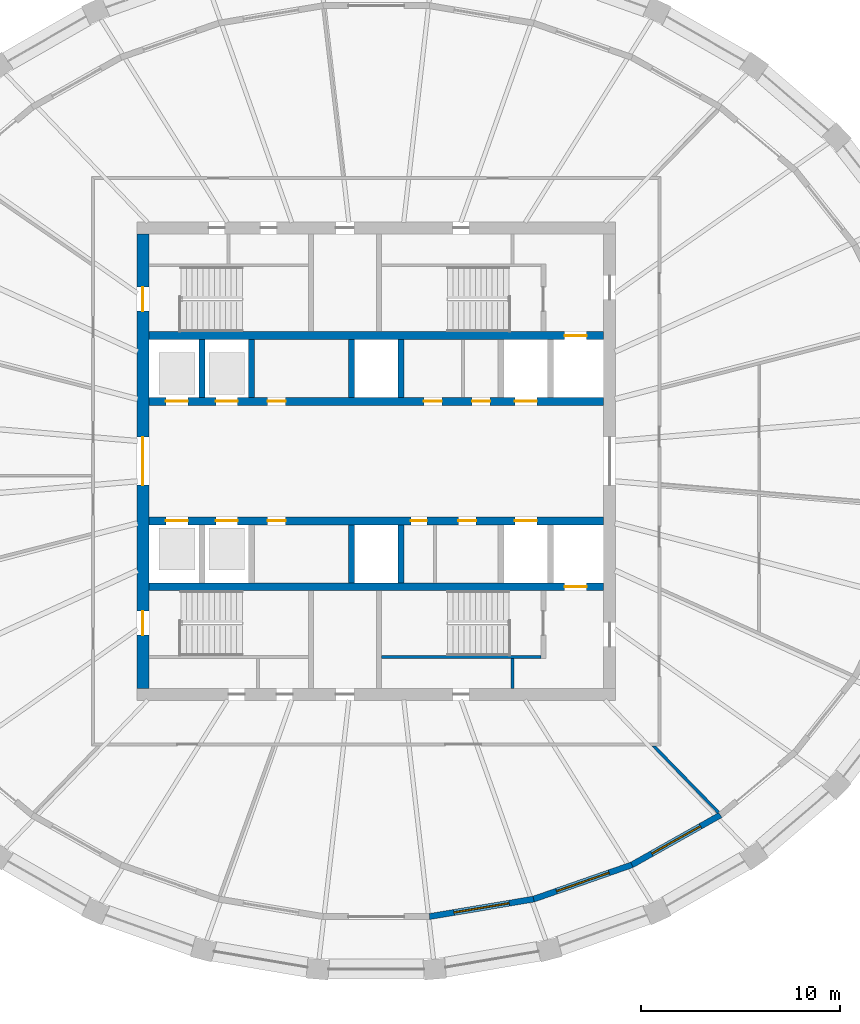
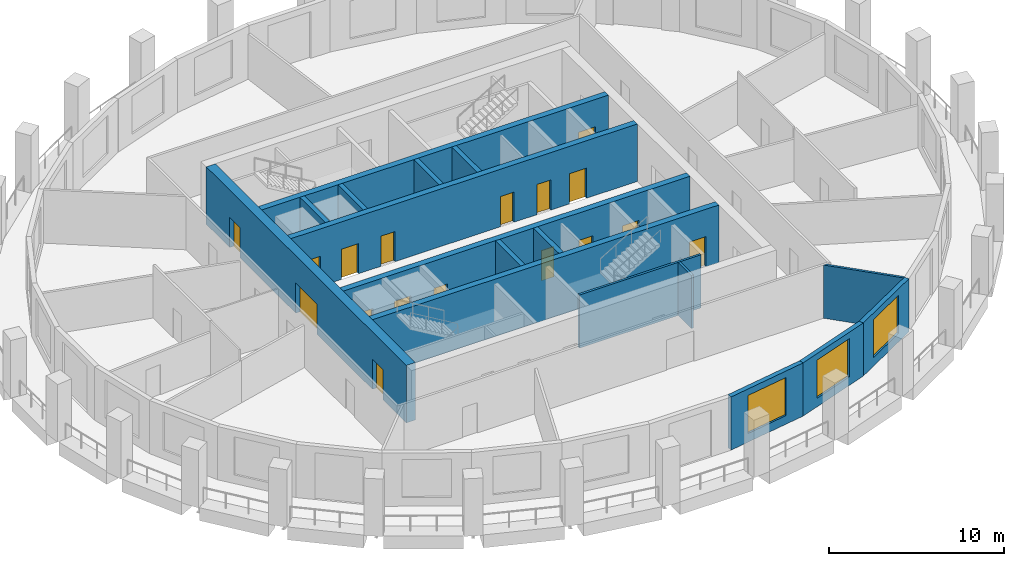
# One storey, part 4 of 10: 17 doors, 17 walls, 3 windows, 20 openings.
"""IFC4 building model written with IfcOpenShell, lengths in metres."""

from ifc_helpers import new_model, si_unit, direction, frame, frame_2d, origin, place, context, subcontext, project, spatial, polyline, rectangle, outline, extrude, material, layer, layer_set, type_object, element, fill, save


model = new_model("IFC4")

# Units and contexts
model_context = context("Model", 3, precision=1e-05, world=origin(), true_north=direction((0.0, 1.0)))
body_context = subcontext(model_context, "Body", "Model", "MODEL_VIEW")
ifc_project = project(units=[si_unit("LENGTHUNIT", "METRE"), si_unit("AREAUNIT", "SQUARE_METRE"), si_unit("VOLUMEUNIT", "CUBIC_METRE"), si_unit("PLANEANGLEUNIT", "RADIAN"), si_unit("MASSUNIT", "GRAM", prefix="KILO")], contexts=[model_context])

# Site, building, storey
site_placement = place(None, origin())
site = spatial("IfcSite", under=ifc_project, at=site_placement, CompositionType="ELEMENT")
building_placement = place(site_placement, origin())
building = spatial("IfcBuilding", under=site, at=building_placement, Name="Halqa Exchange Tower", CompositionType="ELEMENT")
storey_placement = place(building_placement, frame((0.0, 0.0, 272.300048828125)))
storey = spatial("IfcBuildingStorey", under=building, at=storey_placement, Name="L63", CompositionType="ELEMENT", Elevation=272.300048828125)

# Walls
ifc_material_1 = material(Name="Fire-rated gypsum board")
ifc_layer_1 = layer(ifc_material_1, 0.14990234375)
ifc_layer_set_1 = layer_set([ifc_layer_1], Name="Fire-rated gypsum board")
wall_type_1 = type_object("IfcWallType", Name="Fire partition EI 60 150", PredefinedType="PARTITIONING", material=ifc_layer_set_1)
wall_1_placement = place(storey_placement, frame((13.852294921875, -14.222900390625, 0.0), z_axis=(0.0, 0.0, 1.0), x_axis=(0.69820654799, -0.715896372629, 0.0)))
element("IfcWall", 1, at=wall_1_placement, inside=storey, type_object=wall_type_1, Name="L63-PWL-015", PredefinedType="PARTITIONING", context=body_context, shape_type="SweptSolid", body=[
    extrude(outline(polyline([(0.0, -0.074951171875), (1.577880859375, -0.074951171875), (3.156005859375, -0.074951171875), (4.73388671875, -0.074951171875), (4.73388671875, -0.07470703125), (4.73388671875, 0.074951171875), (3.20458984375, 0.074951171875), (1.67529296875, 0.074951171875), (0.14599609375, 0.074951171875), (0.0, -0.07470703125), (0.0, -0.074951171875)])), origin(), (0.0, 0.0, 1.0), 3.699951171875),
])
ifc_material_2 = material(Name="Gypsum board")
ifc_layer_2 = layer(ifc_material_2, 0.14990234375)
ifc_layer_set_2 = layer_set([ifc_layer_2], Name="Gypsum board")
wall_type_2 = type_object("IfcWallType", Name="Penthouse riser wall 150 gypsum", PredefinedType="PARTITIONING", material=ifc_layer_set_2)
wall_2_placement = place(storey_placement, frame((6.824951171875, -11.39990234375, 0.0), z_axis=(0.0, 0.0, 1.0), x_axis=(0.0, 1.0, 0.0)))
element("IfcWall", 2, at=wall_2_placement, inside=storey, type_object=wall_type_2, Name="Firefighting lobby west wall S", PredefinedType="PARTITIONING", context=body_context, shape_type="SweptSolid", body=[
    extrude(rectangle(XDim=1.5, YDim=0.14990234375, at=frame_2d((0.75, 0.0))), origin(), (0.0, 0.0, 1.0), 3.699951171875),
])
ifc_material_3 = material(Name="Concrete C60/75", Category="concrete")
ifc_layer_3 = layer(ifc_material_3, 0.300048828125)
ifc_layer_set_3 = layer_set([ifc_layer_3], Name="Concrete C60/75")
wall_type_3 = type_object("IfcWallType", Name="RC core wall 300", PredefinedType="SHEAR", material=ifc_layer_set_3)
for number, where, z_axis, x_axis, name in (
    (3, (-8.75, 3.199951171875, 0.0), (0.0, 0.0, 1.0), (0.0, 1.0, 0.0), "Shaft divider N1"),
    (4, (-6.25, 3.199951171875, 0.0), (0.0, 0.0, 1.0), (0.0, 1.0, 0.0), "Shaft divider N2"),
    (5, (-1.25, 3.199951171875, 0.0), (0.0, 0.0, 1.0), (0.0, 1.0, 0.0), "Shaft divider N4"),
    (6, (1.25, 3.199951171875, 0.0), (0.0, 0.0, 1.0), (0.0, 1.0, 0.0), "Shaft divider N5"),
    (7, (-1.25, -6.10009765625, 0.0), (0.0, 0.0, 1.0), (0.0, 1.0, 0.0), "Shaft divider S4"),
    (8, (1.25, -6.10009765625, 0.0), (0.0, 0.0, 1.0), (0.0, 1.0, 0.0), "Shaft divider S5"),
):
    element("IfcWall", number, at=place(storey_placement, frame(where, z_axis=z_axis, x_axis=x_axis)), inside=storey, type_object=wall_type_3, Name=name, PredefinedType="SHEAR", context=body_context, shape_type="SweptSolid", body=[
        extrude(rectangle(XDim=2.900146484375, YDim=0.300048828125, at=frame_2d((1.4501953125, 0.0))), origin(), (0.0, 0.0, 1.0), 4.0),
    ])

# Wall, openings, doors
ifc_layer_4 = layer(ifc_material_3, 0.39990234375)
ifc_layer_set_4 = layer_set([ifc_layer_4], Name="Concrete C60/75")
wall_type_4 = type_object("IfcWallType", Name="RC core wall 400 C60/75", PredefinedType="SHEAR", material=ifc_layer_set_4)
wall_3_placement = place(storey_placement, frame((-11.39990234375, 3.0, 0.0), z_axis=(0.0, 0.0, 1.0), x_axis=(1.0, 0.0, 0.0)))
wall_3 = element("IfcWall", 9, at=wall_3_placement, inside=storey, type_object=wall_type_4, Name="Lift row front wall N", PredefinedType="SHEAR", context=body_context, shape_type="SweptSolid", body=[
    extrude(rectangle(XDim=22.7998046875, YDim=0.39990234375, at=frame_2d((11.39990234375, 0.0))), origin(), (0.0, 0.0, 1.0), 4.0),
])
opening_1_placement = place(wall_3_placement, frame((0.85009765625, 0.0, 0.0)))
opening_1 = element("IfcOpeningElement", 10, at=opening_1_placement, cuts=wall_3, Name="Opening LD-HR1-T19", PredefinedType="OPENING", context=body_context, shape_type="SweptSolid", body=[
    extrude(rectangle(XDim=1.10009765625, YDim=2.10009765625, at=frame_2d((0.550048828125, 1.050048828125))), frame((0.0, 0.2119140625, 0.0), z_axis=(0.0, -1.0, 0.0), x_axis=(1.0, 0.0, 0.0)), (0.0, 0.0, 1.0), 0.423828125),
])
opening_2_placement = place(wall_3_placement, frame((3.35009765625, 0.0, 0.0)))
opening_2 = element("IfcOpeningElement", 11, at=opening_2_placement, cuts=wall_3, Name="Opening LD-HR2-T19", PredefinedType="OPENING", context=body_context, shape_type="SweptSolid", body=[
    extrude(rectangle(XDim=1.10009765625, YDim=2.10009765625, at=frame_2d((0.550048828125, 1.050048828125))), frame((0.0, 0.2119140625, 0.0), z_axis=(0.0, -1.0, 0.0), x_axis=(1.0, 0.0, 0.0)), (0.0, 0.0, 1.0), 0.423828125),
])
opening_3_placement = place(wall_3_placement, frame((18.35009765625, 0.0, 0.0)))
opening_3 = element("IfcOpeningElement", 12, at=opening_3_placement, cuts=wall_3, Name="Opening LD-SV1-T19", PredefinedType="OPENING", context=body_context, shape_type="SweptSolid", body=[
    extrude(rectangle(XDim=1.10009765625, YDim=2.10009765625, at=frame_2d((0.550048828125, 1.050048828125))), frame((0.0, 0.2119140625, 0.0), z_axis=(0.0, -1.0, 0.0), x_axis=(1.0, 0.0, 0.0)), (0.0, 0.0, 1.0), 0.423828125),
])
opening_4_placement = place(wall_3_placement, frame((13.78759765625, 0.0, 0.0)))
opening_4 = element("IfcOpeningElement", 13, at=opening_4_placement, cuts=wall_3, Name="Opening T19-C25", PredefinedType="OPENING", context=body_context, shape_type="SweptSolid", body=[
    extrude(rectangle(XDim=0.89990234375, YDim=2.10009765625, at=frame_2d((0.449951171875, 1.050048828125))), frame((0.0, 0.2119140625, 0.0), z_axis=(0.0, -1.0, 0.0), x_axis=(1.0, 0.0, 0.0)), (0.0, 0.0, 1.0), 0.423828125),
])
opening_5_placement = place(wall_3_placement, frame((16.21240234375, 0.0, 0.0)))
opening_5 = element("IfcOpeningElement", 14, at=opening_5_placement, cuts=wall_3, Name="Opening T19-C26", PredefinedType="OPENING", context=body_context, shape_type="SweptSolid", body=[
    extrude(rectangle(XDim=0.89990234375, YDim=2.10009765625, at=frame_2d((0.449951171875, 1.050048828125))), frame((0.0, 0.2119140625, 0.0), z_axis=(0.0, -1.0, 0.0), x_axis=(1.0, 0.0, 0.0)), (0.0, 0.0, 1.0), 0.423828125),
])
opening_6_placement = place(wall_3_placement, frame((5.949951171875, 0.0, 0.0)))
opening_6 = element("IfcOpeningElement", 15, at=opening_6_placement, cuts=wall_3, Name="Opening T19-C27", PredefinedType="OPENING", context=body_context, shape_type="SweptSolid", body=[
    extrude(rectangle(XDim=0.89990234375, YDim=2.10009765625, at=frame_2d((0.449951171875, 1.050048828125))), frame((0.0, 0.2119140625, 0.0), z_axis=(0.0, -1.0, 0.0), x_axis=(1.0, 0.0, 0.0)), (0.0, 0.0, 1.0), 0.423828125),
])
ifc_material_4 = material(Name="Timber fire door leaf", Category="wood")
door_type_1 = type_object("IfcDoorType", Name="Core room door FD30 900 x 2100", OperationType="SINGLE_SWING_LEFT", PredefinedType="DOOR", material=ifc_material_4)
door_1_placement = place(opening_4_placement, origin())
door_1 = element("IfcDoor", 16, at=door_1_placement, inside=storey, type_object=door_type_1, Name="Core room door", OperationType="SINGLE_SWING_LEFT", OverallHeight=2.10009765625, OverallWidth=0.89990234375, PredefinedType="DOOR", context=body_context, shape_type="SweptSolid", body=[
    extrude(rectangle(XDim=0.89990234375, YDim=2.10009765625, at=frame_2d((0.449951171875, 1.050048828125))), frame((0.0, 0.02490234375, 0.0), z_axis=(0.0, -1.0, 0.0), x_axis=(1.0, 0.0, 0.0)), (0.0, 0.0, 1.0), 0.050048828125),
])
fill(opening_4, door_1)
door_2_placement = place(opening_5_placement, origin())
door_2 = element("IfcDoor", 17, at=door_2_placement, inside=storey, type_object=door_type_1, Name="Core room door", OperationType="SINGLE_SWING_LEFT", OverallHeight=2.10009765625, OverallWidth=0.89990234375, PredefinedType="DOOR", context=body_context, shape_type="SweptSolid", body=[
    extrude(rectangle(XDim=0.89990234375, YDim=2.10009765625, at=frame_2d((0.449951171875, 1.050048828125))), frame((0.0, 0.02490234375, 0.0), z_axis=(0.0, -1.0, 0.0), x_axis=(1.0, 0.0, 0.0)), (0.0, 0.0, 1.0), 0.050048828125),
])
fill(opening_5, door_2)
door_3_placement = place(opening_6_placement, origin())
door_3 = element("IfcDoor", 18, at=door_3_placement, inside=storey, type_object=door_type_1, Name="Core room door", OperationType="SINGLE_SWING_RIGHT", OverallHeight=2.10009765625, OverallWidth=0.89990234375, PredefinedType="DOOR", context=body_context, shape_type="SweptSolid", body=[
    extrude(rectangle(XDim=0.89990234375, YDim=2.10009765625, at=frame_2d((0.449951171875, 1.050048828125))), frame((0.0, 0.02490234375, 0.0), z_axis=(0.0, -1.0, 0.0), x_axis=(1.0, 0.0, 0.0)), (0.0, 0.0, 1.0), 0.050048828125),
])
fill(opening_6, door_3)
ifc_material_5 = material(Name="Stainless steel", Category="steel")
door_type_2 = type_object("IfcDoorType", Name="Lift landing door 1100 x 2100", OperationType="SLIDING_TO_LEFT", PredefinedType="DOOR", material=ifc_material_5)
door_4_placement = place(opening_1_placement, origin())
door_4 = element("IfcDoor", 19, at=door_4_placement, inside=storey, type_object=door_type_2, Name="Lift landing door HR1", OperationType="SLIDING_TO_LEFT", OverallHeight=2.10009765625, OverallWidth=1.10009765625, PredefinedType="DOOR", context=body_context, shape_type="SweptSolid", body=[
    extrude(rectangle(XDim=1.10009765625, YDim=2.10009765625, at=frame_2d((0.550048828125, 1.050048828125))), frame((0.0, 0.02490234375, 0.0), z_axis=(0.0, -1.0, 0.0), x_axis=(1.0, 0.0, 0.0)), (0.0, 0.0, 1.0), 0.050048828125),
])
fill(opening_1, door_4)
door_5_placement = place(opening_2_placement, origin())
door_5 = element("IfcDoor", 20, at=door_5_placement, inside=storey, type_object=door_type_2, Name="Lift landing door HR2", OperationType="SLIDING_TO_LEFT", OverallHeight=2.10009765625, OverallWidth=1.10009765625, PredefinedType="DOOR", context=body_context, shape_type="SweptSolid", body=[
    extrude(rectangle(XDim=1.10009765625, YDim=2.10009765625, at=frame_2d((0.550048828125, 1.050048828125))), frame((0.0, 0.02490234375, 0.0), z_axis=(0.0, -1.0, 0.0), x_axis=(1.0, 0.0, 0.0)), (0.0, 0.0, 1.0), 0.050048828125),
])
fill(opening_2, door_5)
door_6_placement = place(opening_3_placement, origin())
door_6 = element("IfcDoor", 21, at=door_6_placement, inside=storey, type_object=door_type_2, Name="Lift landing door SV1", OperationType="SLIDING_TO_LEFT", OverallHeight=2.10009765625, OverallWidth=1.10009765625, PredefinedType="DOOR", context=body_context, shape_type="SweptSolid", body=[
    extrude(rectangle(XDim=1.10009765625, YDim=2.10009765625, at=frame_2d((0.550048828125, 1.050048828125))), frame((0.0, 0.02490234375, 0.0), z_axis=(0.0, -1.0, 0.0), x_axis=(1.0, 0.0, 0.0)), (0.0, 0.0, 1.0), 0.050048828125),
])
fill(opening_3, door_6)

# Wall, opening, door
wall_4_placement = place(storey_placement, frame((-11.39990234375, 6.300048828125, 0.0), z_axis=(0.0, 0.0, 1.0), x_axis=(1.0, 0.0, 0.0)))
wall_4 = element("IfcWall", 22, at=wall_4_placement, inside=storey, type_object=wall_type_4, Name="Lift row back wall N", PredefinedType="SHEAR", context=body_context, shape_type="SweptSolid", body=[
    extrude(rectangle(XDim=22.7998046875, YDim=0.39990234375, at=frame_2d((11.39990234375, 0.0))), origin(), (0.0, 0.0, 1.0), 4.0),
])
opening_7_placement = place(wall_4_placement, frame((20.85009765625, 0.0, 0.0)))
opening_7 = element("IfcOpeningElement", 23, at=opening_7_placement, cuts=wall_4, Name="Opening LD-FF1-T19", PredefinedType="OPENING", context=body_context, shape_type="SweptSolid", body=[
    extrude(rectangle(XDim=1.10009765625, YDim=2.10009765625, at=frame_2d((0.550048828125, 1.050048828125))), frame((0.0, 0.2119140625, 0.0), z_axis=(0.0, -1.0, 0.0), x_axis=(1.0, 0.0, 0.0)), (0.0, 0.0, 1.0), 0.423828125),
])
door_7_placement = place(opening_7_placement, origin())
door_7 = element("IfcDoor", 24, at=door_7_placement, inside=storey, type_object=door_type_2, Name="Lift landing door FF1", OperationType="SLIDING_TO_LEFT", OverallHeight=2.10009765625, OverallWidth=1.10009765625, PredefinedType="DOOR", context=body_context, shape_type="SweptSolid", body=[
    extrude(rectangle(XDim=1.10009765625, YDim=2.10009765625, at=frame_2d((0.550048828125, 1.050048828125))), frame((0.0, 0.02490234375, 0.0), z_axis=(0.0, -1.0, 0.0), x_axis=(1.0, 0.0, 0.0)), (0.0, 0.0, 1.0), 0.050048828125),
])
fill(opening_7, door_7)

# Wall, openings, doors
wall_5_placement = place(storey_placement, frame((-11.39990234375, -3.0, 0.0), z_axis=(0.0, 0.0, 1.0), x_axis=(1.0, 0.0, 0.0)))
wall_5 = element("IfcWall", 25, at=wall_5_placement, inside=storey, type_object=wall_type_4, Name="Lift row front wall S", PredefinedType="SHEAR", context=body_context, shape_type="SweptSolid", body=[
    extrude(rectangle(XDim=22.7998046875, YDim=0.39990234375, at=frame_2d((11.39990234375, 0.0))), origin(), (0.0, 0.0, 1.0), 4.0),
])
opening_8_placement = place(wall_5_placement, frame((0.85009765625, 0.0, 0.0)))
opening_8 = element("IfcOpeningElement", 26, at=opening_8_placement, cuts=wall_5, Name="Opening LD-HR3-T19", PredefinedType="OPENING", context=body_context, shape_type="SweptSolid", body=[
    extrude(rectangle(XDim=1.10009765625, YDim=2.10009765625, at=frame_2d((0.550048828125, 1.050048828125))), frame((0.0, 0.2119140625, 0.0), z_axis=(0.0, -1.0, 0.0), x_axis=(1.0, 0.0, 0.0)), (0.0, 0.0, 1.0), 0.423828125),
])
opening_9_placement = place(wall_5_placement, frame((3.35009765625, 0.0, 0.0)))
opening_9 = element("IfcOpeningElement", 27, at=opening_9_placement, cuts=wall_5, Name="Opening LD-HR4-T19", PredefinedType="OPENING", context=body_context, shape_type="SweptSolid", body=[
    extrude(rectangle(XDim=1.10009765625, YDim=2.10009765625, at=frame_2d((0.550048828125, 1.050048828125))), frame((0.0, 0.2119140625, 0.0), z_axis=(0.0, -1.0, 0.0), x_axis=(1.0, 0.0, 0.0)), (0.0, 0.0, 1.0), 0.423828125),
])
opening_10_placement = place(wall_5_placement, frame((18.35009765625, 0.0, 0.0)))
opening_10 = element("IfcOpeningElement", 28, at=opening_10_placement, cuts=wall_5, Name="Opening LD-SV2-T19", PredefinedType="OPENING", context=body_context, shape_type="SweptSolid", body=[
    extrude(rectangle(XDim=1.10009765625, YDim=2.10009765625, at=frame_2d((0.550048828125, 1.050048828125))), frame((0.0, 0.2119140625, 0.0), z_axis=(0.0, -1.0, 0.0), x_axis=(1.0, 0.0, 0.0)), (0.0, 0.0, 1.0), 0.423828125),
])
opening_11_placement = place(wall_5_placement, frame((13.137451171875, 0.0, 0.0)))
opening_11 = element("IfcOpeningElement", 29, at=opening_11_placement, cuts=wall_5, Name="Opening T19-C28", PredefinedType="OPENING", context=body_context, shape_type="SweptSolid", body=[
    extrude(rectangle(XDim=0.800048828125, YDim=2.10009765625, at=frame_2d((0.39990234375, 1.050048828125))), frame((0.0, 0.2119140625, 0.0), z_axis=(0.0, -1.0, 0.0), x_axis=(1.0, 0.0, 0.0)), (0.0, 0.0, 1.0), 0.423828125),
])
opening_12_placement = place(wall_5_placement, frame((15.512451171875, 0.0, 0.0)))
opening_12 = element("IfcOpeningElement", 30, at=opening_12_placement, cuts=wall_5, Name="Opening T19-C29", PredefinedType="OPENING", context=body_context, shape_type="SweptSolid", body=[
    extrude(rectangle(XDim=0.89990234375, YDim=2.10009765625, at=frame_2d((0.449951171875, 1.050048828125))), frame((0.0, 0.2119140625, 0.0), z_axis=(0.0, -1.0, 0.0), x_axis=(1.0, 0.0, 0.0)), (0.0, 0.0, 1.0), 0.423828125),
])
opening_13_placement = place(wall_5_placement, frame((5.949951171875, 0.0, 0.0)))
opening_13 = element("IfcOpeningElement", 31, at=opening_13_placement, cuts=wall_5, Name="Opening T19-C30", PredefinedType="OPENING", context=body_context, shape_type="SweptSolid", body=[
    extrude(rectangle(XDim=0.89990234375, YDim=2.10009765625, at=frame_2d((0.449951171875, 1.050048828125))), frame((0.0, 0.2119140625, 0.0), z_axis=(0.0, -1.0, 0.0), x_axis=(1.0, 0.0, 0.0)), (0.0, 0.0, 1.0), 0.423828125),
])
door_8_placement = place(opening_12_placement, frame((0.89990234375, 0.0, 0.0), z_axis=(0.0, 0.0, 1.0), x_axis=(-1.0, 0.0, 0.0)))
door_8 = element("IfcDoor", 32, at=door_8_placement, inside=storey, type_object=door_type_1, Name="Core room door", OperationType="SINGLE_SWING_LEFT", OverallHeight=2.10009765625, OverallWidth=0.89990234375, PredefinedType="DOOR", context=body_context, shape_type="SweptSolid", body=[
    extrude(rectangle(XDim=0.89990234375, YDim=2.10009765625, at=frame_2d((0.449951171875, 1.050048828125))), frame((0.0, 0.02490234375, 0.0), z_axis=(0.0, -1.0, 0.0), x_axis=(1.0, 0.0, 0.0)), (0.0, 0.0, 1.0), 0.050048828125),
])
fill(opening_12, door_8)
door_9_placement = place(opening_13_placement, frame((0.89990234375, 0.0, 0.0), z_axis=(0.0, 0.0, 1.0), x_axis=(-1.0, 0.0, 0.0)))
door_9 = element("IfcDoor", 33, at=door_9_placement, inside=storey, type_object=door_type_1, Name="Core room door", OperationType="SINGLE_SWING_LEFT", OverallHeight=2.10009765625, OverallWidth=0.89990234375, PredefinedType="DOOR", context=body_context, shape_type="SweptSolid", body=[
    extrude(rectangle(XDim=0.89990234375, YDim=2.10009765625, at=frame_2d((0.449951171875, 1.050048828125))), frame((0.0, 0.02490234375, 0.0), z_axis=(0.0, -1.0, 0.0), x_axis=(1.0, 0.0, 0.0)), (0.0, 0.0, 1.0), 0.050048828125),
])
fill(opening_13, door_9)
door_10_placement = place(opening_8_placement, origin())
door_10 = element("IfcDoor", 34, at=door_10_placement, inside=storey, type_object=door_type_2, Name="Lift landing door HR3", OperationType="SLIDING_TO_LEFT", OverallHeight=2.10009765625, OverallWidth=1.10009765625, PredefinedType="DOOR", context=body_context, shape_type="SweptSolid", body=[
    extrude(rectangle(XDim=1.10009765625, YDim=2.10009765625, at=frame_2d((0.550048828125, 1.050048828125))), frame((0.0, 0.02490234375, 0.0), z_axis=(0.0, -1.0, 0.0), x_axis=(1.0, 0.0, 0.0)), (0.0, 0.0, 1.0), 0.050048828125),
])
fill(opening_8, door_10)
door_11_placement = place(opening_9_placement, origin())
door_11 = element("IfcDoor", 35, at=door_11_placement, inside=storey, type_object=door_type_2, Name="Lift landing door HR4", OperationType="SLIDING_TO_LEFT", OverallHeight=2.10009765625, OverallWidth=1.10009765625, PredefinedType="DOOR", context=body_context, shape_type="SweptSolid", body=[
    extrude(rectangle(XDim=1.10009765625, YDim=2.10009765625, at=frame_2d((0.550048828125, 1.050048828125))), frame((0.0, 0.02490234375, 0.0), z_axis=(0.0, -1.0, 0.0), x_axis=(1.0, 0.0, 0.0)), (0.0, 0.0, 1.0), 0.050048828125),
])
fill(opening_9, door_11)
door_12_placement = place(opening_10_placement, origin())
door_12 = element("IfcDoor", 36, at=door_12_placement, inside=storey, type_object=door_type_2, Name="Lift landing door SV2", OperationType="SLIDING_TO_LEFT", OverallHeight=2.10009765625, OverallWidth=1.10009765625, PredefinedType="DOOR", context=body_context, shape_type="SweptSolid", body=[
    extrude(rectangle(XDim=1.10009765625, YDim=2.10009765625, at=frame_2d((0.550048828125, 1.050048828125))), frame((0.0, 0.02490234375, 0.0), z_axis=(0.0, -1.0, 0.0), x_axis=(1.0, 0.0, 0.0)), (0.0, 0.0, 1.0), 0.050048828125),
])
fill(opening_10, door_12)
ifc_material_6 = material(Name="Steel fire door leaf", Category="steel")
door_type_3 = type_object("IfcDoorType", Name="Riser door FD60 800 x 2100", OperationType="SINGLE_SWING_LEFT", PredefinedType="DOOR", material=ifc_material_6)
door_13_placement = place(opening_11_placement, frame((0.800048828125, 0.0, 0.0), z_axis=(0.0, 0.0, 1.0), x_axis=(-1.0, 0.0, 0.0)))
door_13 = element("IfcDoor", 37, at=door_13_placement, inside=storey, type_object=door_type_3, Name="Core room door", OperationType="SINGLE_SWING_LEFT", OverallHeight=2.10009765625, OverallWidth=0.800048828125, PredefinedType="DOOR", context=body_context, shape_type="SweptSolid", body=[
    extrude(rectangle(XDim=0.800048828125, YDim=2.10009765625, at=frame_2d((0.39990234375, 1.050048828125))), frame((0.0, 0.02490234375, 0.0), z_axis=(0.0, -1.0, 0.0), x_axis=(1.0, 0.0, 0.0)), (0.0, 0.0, 1.0), 0.050048828125),
])
fill(opening_11, door_13)

# Wall, opening, door
wall_6_placement = place(storey_placement, frame((-11.39990234375, -6.300048828125, 0.0), z_axis=(0.0, 0.0, 1.0), x_axis=(1.0, 0.0, 0.0)))
wall_6 = element("IfcWall", 38, at=wall_6_placement, inside=storey, type_object=wall_type_4, Name="Lift row back wall S", PredefinedType="SHEAR", context=body_context, shape_type="SweptSolid", body=[
    extrude(rectangle(XDim=22.7998046875, YDim=0.39990234375, at=frame_2d((11.39990234375, 0.0))), origin(), (0.0, 0.0, 1.0), 4.0),
])
opening_14_placement = place(wall_6_placement, frame((20.85009765625, 0.0, 0.0)))
opening_14 = element("IfcOpeningElement", 39, at=opening_14_placement, cuts=wall_6, Name="Opening LD-FF2-T19", PredefinedType="OPENING", context=body_context, shape_type="SweptSolid", body=[
    extrude(rectangle(XDim=1.10009765625, YDim=2.10009765625, at=frame_2d((0.550048828125, 1.050048828125))), frame((0.0, 0.2119140625, 0.0), z_axis=(0.0, -1.0, 0.0), x_axis=(1.0, 0.0, 0.0)), (0.0, 0.0, 1.0), 0.423828125),
])
door_14_placement = place(opening_14_placement, origin())
door_14 = element("IfcDoor", 40, at=door_14_placement, inside=storey, type_object=door_type_2, Name="Lift landing door FF2", OperationType="SLIDING_TO_LEFT", OverallHeight=2.10009765625, OverallWidth=1.10009765625, PredefinedType="DOOR", context=body_context, shape_type="SweptSolid", body=[
    extrude(rectangle(XDim=1.10009765625, YDim=2.10009765625, at=frame_2d((0.550048828125, 1.050048828125))), frame((0.0, 0.02490234375, 0.0), z_axis=(0.0, -1.0, 0.0), x_axis=(1.0, 0.0, 0.0)), (0.0, 0.0, 1.0), 0.050048828125),
])
fill(opening_14, door_14)

# Wall, openings, doors
ifc_layer_5 = layer(ifc_material_3, 0.60009765625)
ifc_layer_set_5 = layer_set([ifc_layer_5], Name="Concrete C60/75")
wall_type_5 = type_object("IfcWallType", Name="RC core wall 600 C60/75", PredefinedType="SHEAR", material=ifc_layer_set_5)
wall_7_placement = place(storey_placement, frame((-11.699951171875, -11.39990234375, 0.0), z_axis=(0.0, 0.0, 1.0), x_axis=(0.0, 1.0, 0.0)))
wall_7 = element("IfcWall", 41, at=wall_7_placement, inside=storey, type_object=wall_type_5, Name="Core wall west", PredefinedType="SHEAR", context=body_context, shape_type="SweptSolid", body=[
    extrude(rectangle(XDim=22.7998046875, YDim=0.60009765625, at=frame_2d((11.39990234375, 0.0))), origin(), (0.0, 0.0, 1.0), 4.0),
])
opening_15_placement = place(wall_7_placement, frame((10.199951171875, 0.0, 0.0)))
opening_15 = element("IfcOpeningElement", 42, at=opening_15_placement, cuts=wall_7, Name="Opening T19-C09", PredefinedType="OPENING", context=body_context, shape_type="SweptSolid", body=[
    extrude(rectangle(XDim=2.39990234375, YDim=2.10009765625, at=frame_2d((1.199951171875, 1.050048828125))), frame((0.0, 0.31201171875, 0.0), z_axis=(0.0, -1.0, 0.0), x_axis=(1.0, 0.0, 0.0)), (0.0, 0.0, 1.0), 0.6240234375),
])
opening_16_placement = place(wall_7_placement, frame((18.925048828125, 0.0, 0.0)))
opening_16 = element("IfcOpeningElement", 43, at=opening_16_placement, cuts=wall_7, Name="Opening T19-C11", PredefinedType="OPENING", context=body_context, shape_type="SweptSolid", body=[
    extrude(rectangle(XDim=1.199951171875, YDim=2.10009765625, at=frame_2d((0.60009765625, 1.050048828125))), frame((0.0, 0.31201171875, 0.0), z_axis=(0.0, -1.0, 0.0), x_axis=(1.0, 0.0, 0.0)), (0.0, 0.0, 1.0), 0.6240234375),
])
opening_17_placement = place(wall_7_placement, frame((2.675048828125, 0.0, 0.0)))
opening_17 = element("IfcOpeningElement", 44, at=opening_17_placement, cuts=wall_7, Name="Opening T19-C13", PredefinedType="OPENING", context=body_context, shape_type="SweptSolid", body=[
    extrude(rectangle(XDim=1.199951171875, YDim=2.10009765625, at=frame_2d((0.60009765625, 1.050048828125))), frame((0.0, 0.31201171875, 0.0), z_axis=(0.0, -1.0, 0.0), x_axis=(1.0, 0.0, 0.0)), (0.0, 0.0, 1.0), 0.6240234375),
])
door_type_4 = type_object("IfcDoorType", Name="Lobby double door FD60 2400 x 2100", OperationType="DOUBLE_DOOR_SINGLE_SWING", PredefinedType="DOOR", material=ifc_material_6)
door_15_placement = place(opening_15_placement, frame((2.39990234375, 0.0, 0.0), z_axis=(0.0, 0.0, 1.0), x_axis=(-1.0, 0.0, 0.0)))
door_15 = element("IfcDoor", 45, at=door_15_placement, inside=storey, type_object=door_type_4, Name="Lift lobby double door", OperationType="DOUBLE_DOOR_SINGLE_SWING", OverallHeight=2.10009765625, OverallWidth=2.39990234375, PredefinedType="DOOR", context=body_context, shape_type="SweptSolid", body=[
    extrude(rectangle(XDim=2.39990234375, YDim=2.10009765625, at=frame_2d((1.199951171875, 1.050048828125))), frame((0.0, 0.02490234375, 0.0), z_axis=(0.0, -1.0, 0.0), x_axis=(1.0, 0.0, 0.0)), (0.0, 0.0, 1.0), 0.050048828125),
])
fill(opening_15, door_15)
door_type_5 = type_object("IfcDoorType", Name="Stair door FD90 1200 x 2100", OperationType="SINGLE_SWING_LEFT", PredefinedType="DOOR", material=ifc_material_6)
door_16_placement = place(opening_16_placement, frame((1.199951171875, 0.0, 0.0), z_axis=(0.0, 0.0, 1.0), x_axis=(-1.0, 0.0, 0.0)))
door_16 = element("IfcDoor", 46, at=door_16_placement, inside=storey, type_object=door_type_5, Name="Stair door ST1", OperationType="SINGLE_SWING_RIGHT", OverallHeight=2.10009765625, OverallWidth=1.199951171875, PredefinedType="DOOR", context=body_context, shape_type="SweptSolid", body=[
    extrude(rectangle(XDim=1.199951171875, YDim=2.10009765625, at=frame_2d((0.60009765625, 1.050048828125))), frame((0.0, 0.02490234375, 0.0), z_axis=(0.0, -1.0, 0.0), x_axis=(1.0, 0.0, 0.0)), (0.0, 0.0, 1.0), 0.050048828125),
])
fill(opening_16, door_16)
door_17_placement = place(opening_17_placement, frame((1.199951171875, 0.0, 0.0), z_axis=(0.0, 0.0, 1.0), x_axis=(-1.0, 0.0, 0.0)))
door_17 = element("IfcDoor", 47, at=door_17_placement, inside=storey, type_object=door_type_5, Name="Stair door ST3", OperationType="SINGLE_SWING_RIGHT", OverallHeight=2.10009765625, OverallWidth=1.199951171875, PredefinedType="DOOR", context=body_context, shape_type="SweptSolid", body=[
    extrude(rectangle(XDim=1.199951171875, YDim=2.10009765625, at=frame_2d((0.60009765625, 1.050048828125))), frame((0.0, 0.02490234375, 0.0), z_axis=(0.0, -1.0, 0.0), x_axis=(1.0, 0.0, 0.0)), (0.0, 0.0, 1.0), 0.050048828125),
])
fill(opening_17, door_17)

# Wall
ifc_material_7 = material(Name="Concrete C30/37", Category="concrete")
ifc_layer_6 = layer(ifc_material_7, 0.14990234375)
ifc_layer_set_6 = layer_set([ifc_layer_6], Name="Concrete C30/37")
wall_type_6 = type_object("IfcWallType", Name="RC stair wall 150 C30/37", PredefinedType="SHEAR", material=ifc_layer_set_6)
wall_8_placement = place(storey_placement, frame((0.25, -9.824951171875, 0.0), z_axis=(0.0, 0.0, 1.0), x_axis=(1.0, 0.0, 0.0)))
element("IfcWall", 48, at=wall_8_placement, inside=storey, type_object=wall_type_6, Name="Stair ST2 north wall S", PredefinedType="SHEAR", context=body_context, shape_type="SweptSolid", body=[
    extrude(rectangle(XDim=8.0, YDim=0.14990234375, at=frame_2d((4.0, 0.0))), origin(), (0.0, 0.0, 1.0), 3.699951171875),
])

# Wall, opening, window
ifc_material_8 = material(Name="Limestone cladding", Category="masonry")
ifc_layer_7 = layer(ifc_material_8, 0.0400390625)
ifc_material_9 = material(Name="Ventilated cavity")
ifc_layer_8 = layer(ifc_material_9, 0.030029296875, ventilated=True)
ifc_material_10 = material(Name="Mineral wool insulation")
ifc_layer_9 = layer(ifc_material_10, 0.10009765625)
ifc_layer_10 = layer(ifc_material_7, 0.10009765625)
ifc_material_11 = material(Name="Internal plaster")
ifc_layer_11 = layer(ifc_material_11, 0.030029296875)
ifc_layer_set_7 = layer_set([ifc_layer_7, ifc_layer_8, ifc_layer_9, ifc_layer_10, ifc_layer_11], Name="Stone-faced insulated wall 300")
wall_type_7 = type_object("IfcWallType", Name="Stone-faced insulated wall 300", PredefinedType="STANDARD", material=ifc_layer_set_7)
wall_9_placement = place(storey_placement, frame((2.665771484375, -22.841796875, 0.0), z_axis=(0.0, 0.0, 1.0), x_axis=(0.986250435411, 0.165257612993, 0.0)))
wall_9 = element("IfcWall", 49, at=wall_9_placement, inside=storey, type_object=wall_type_7, Name="Glass-line wall 25", PredefinedType="STANDARD", context=body_context, shape_type="SweptSolid", body=[
    extrude(outline(polyline([(-0.012451171875, -0.14990234375), (5.31494140625, -0.14990234375), (5.28955078125, 0.14990234375), (0.012451171875, 0.14990234375), (-0.012451171875, -0.14990234375)])), origin(), (0.0, 0.0, 1.0), 3.699951171875),
])
opening_18_placement = place(wall_9_placement, frame((1.2509765625, 0.0, 0.60009765625)))
opening_18 = element("IfcOpeningElement", 50, at=opening_18_placement, cuts=wall_9, Name="Opening W-F4-25", PredefinedType="OPENING", context=body_context, shape_type="SweptSolid", body=[
    extrude(rectangle(XDim=2.800048828125, YDim=2.64990234375, at=frame_2d((1.39990234375, 1.324951171875))), frame((0.0, 0.162109375, 0.0), z_axis=(0.0, -1.0, 0.0), x_axis=(1.0, 0.0, 0.0)), (0.0, 0.0, 1.0), 0.323974609375),
])
ifc_material_12 = material(Name="Clear low-emissivity glass in aluminium frame", Category="aluminium")
window_type = type_object("IfcWindowType", Name="Fixed clear glazed window 2800 x 2650", PartitioningType="DOUBLE_PANEL_VERTICAL", PredefinedType="WINDOW", material=ifc_material_12)
window_1_placement = place(opening_18_placement, origin())
window_1 = element("IfcWindow", 51, at=window_1_placement, inside=storey, type_object=window_type, Name="Window 4", OverallHeight=2.64990234375, OverallWidth=2.800048828125, PartitioningType="DOUBLE_PANEL_VERTICAL", PredefinedType="WINDOW", context=body_context, shape_type="SweptSolid", body=[
    extrude(rectangle(XDim=2.800048828125, YDim=2.64990234375, at=frame_2d((1.39990234375, 1.324951171875))), frame((0.0, 0.030029296875, 0.0), z_axis=(0.0, -1.0, 0.0), x_axis=(1.0, 0.0, 0.0)), (0.0, 0.0, 1.0), 0.06005859375),
])
fill(opening_18, window_1)

wall_10_placement = place(storey_placement, frame((7.89501953125, -21.965576171875, 0.0), z_axis=(0.0, 0.0, 1.0), x_axis=(0.9441693858, 0.329460423904, 0.0)))
wall_10 = element("IfcWall", 52, at=wall_10_placement, inside=storey, type_object=wall_type_7, Name="Glass-line wall 26", PredefinedType="STANDARD", context=body_context, shape_type="SweptSolid", body=[
    extrude(outline(polyline([(-0.0126953125, -0.14990234375), (5.231689453125, -0.14990234375), (5.204833984375, 0.14990234375), (0.0126953125, 0.14990234375), (-0.0126953125, -0.14990234375)])), origin(), (0.0, 0.0, 1.0), 3.699951171875),
])
opening_19_placement = place(wall_10_placement, frame((1.209228515625, 0.0, 0.60009765625)))
opening_19 = element("IfcOpeningElement", 53, at=opening_19_placement, cuts=wall_10, Name="Opening W-F4-26", PredefinedType="OPENING", context=body_context, shape_type="SweptSolid", body=[
    extrude(rectangle(XDim=2.800048828125, YDim=2.64990234375, at=frame_2d((1.39990234375, 1.324951171875))), frame((0.0, 0.162109375, 0.0), z_axis=(0.0, -1.0, 0.0), x_axis=(1.0, 0.0, 0.0)), (0.0, 0.0, 1.0), 0.323974609375),
])
window_2_placement = place(opening_19_placement, origin())
window_2 = element("IfcWindow", 54, at=window_2_placement, inside=storey, type_object=window_type, Name="Window 4", OverallHeight=2.64990234375, OverallWidth=2.800048828125, PartitioningType="DOUBLE_PANEL_VERTICAL", PredefinedType="WINDOW", context=body_context, shape_type="SweptSolid", body=[
    extrude(rectangle(XDim=2.800048828125, YDim=2.64990234375, at=frame_2d((1.39990234375, 1.324951171875))), frame((0.0, 0.030029296875, 0.0), z_axis=(0.0, -1.0, 0.0), x_axis=(1.0, 0.0, 0.0)), (0.0, 0.0, 1.0), 0.06005859375),
])
fill(opening_19, window_2)

wall_11_placement = place(storey_placement, frame((12.822021484375, -20.246337890625, 0.0), z_axis=(0.0, 0.0, 1.0), x_axis=(0.871433320402, 0.490513983585, 0.0)))
wall_11 = element("IfcWall", 55, at=wall_11_placement, inside=storey, type_object=wall_type_7, Name="Glass-line wall 27", PredefinedType="STANDARD", context=body_context, shape_type="SweptSolid", body=[
    extrude(outline(polyline([(-0.013427734375, -0.14990234375), (5.1044921875, -0.14990234375), (5.076171875, 0.14990234375), (0.013427734375, 0.14990234375), (-0.013427734375, -0.14990234375)])), origin(), (0.0, 0.0, 1.0), 3.699951171875),
])
opening_20_placement = place(wall_11_placement, frame((1.14501953125, 0.0, 0.60009765625)))
opening_20 = element("IfcOpeningElement", 56, at=opening_20_placement, cuts=wall_11, Name="Opening W-F4-27", PredefinedType="OPENING", context=body_context, shape_type="SweptSolid", body=[
    extrude(rectangle(XDim=2.800048828125, YDim=2.64990234375, at=frame_2d((1.39990234375, 1.324951171875))), frame((0.0, 0.162109375, 0.0), z_axis=(0.0, -1.0, 0.0), x_axis=(1.0, 0.0, 0.0)), (0.0, 0.0, 1.0), 0.323974609375),
])
window_3_placement = place(opening_20_placement, origin())
window_3 = element("IfcWindow", 57, at=window_3_placement, inside=storey, type_object=window_type, Name="Window 4", OverallHeight=2.64990234375, OverallWidth=2.800048828125, PartitioningType="DOUBLE_PANEL_VERTICAL", PredefinedType="WINDOW", context=body_context, shape_type="SweptSolid", body=[
    extrude(rectangle(XDim=2.800048828125, YDim=2.64990234375, at=frame_2d((1.39990234375, 1.324951171875))), frame((0.0, 0.030029296875, 0.0), z_axis=(0.0, -1.0, 0.0), x_axis=(1.0, 0.0, 0.0)), (0.0, 0.0, 1.0), 0.06005859375),
])
fill(opening_20, window_3)

save(model, "model.ifc")
